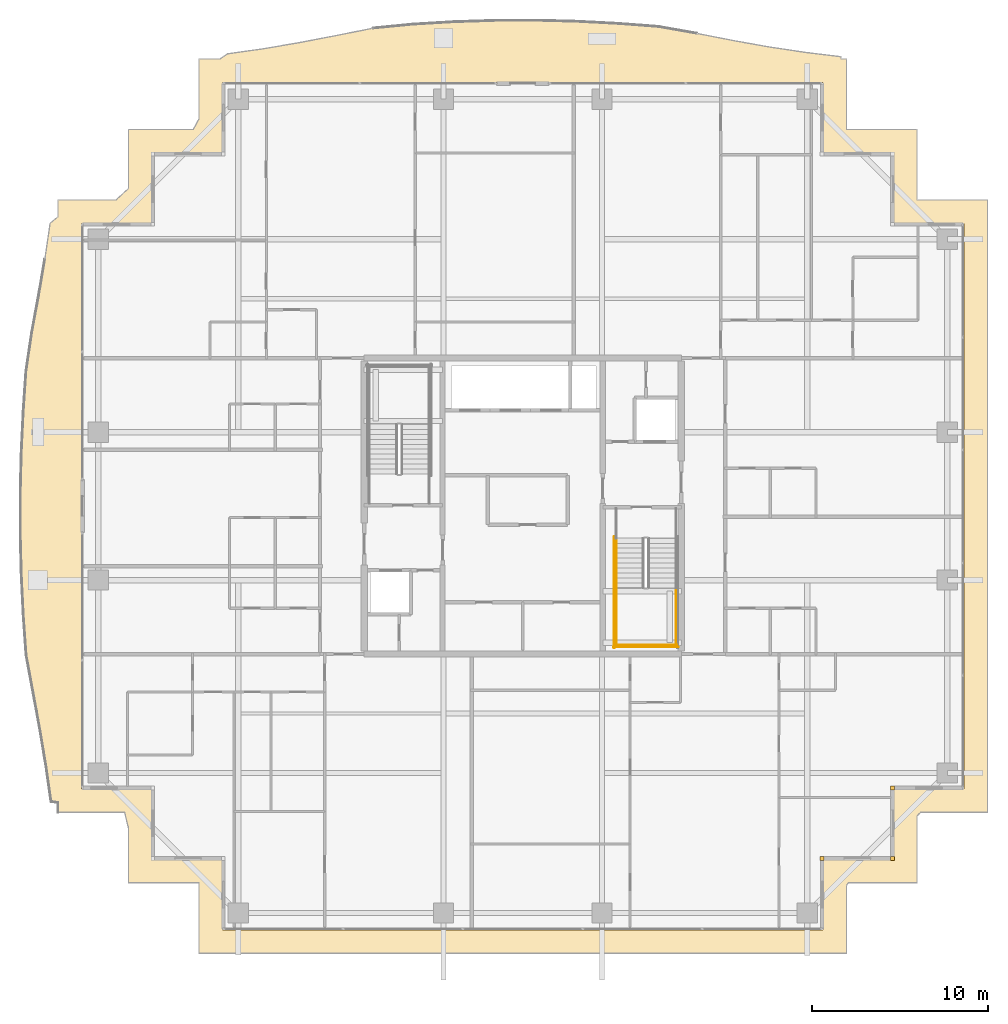
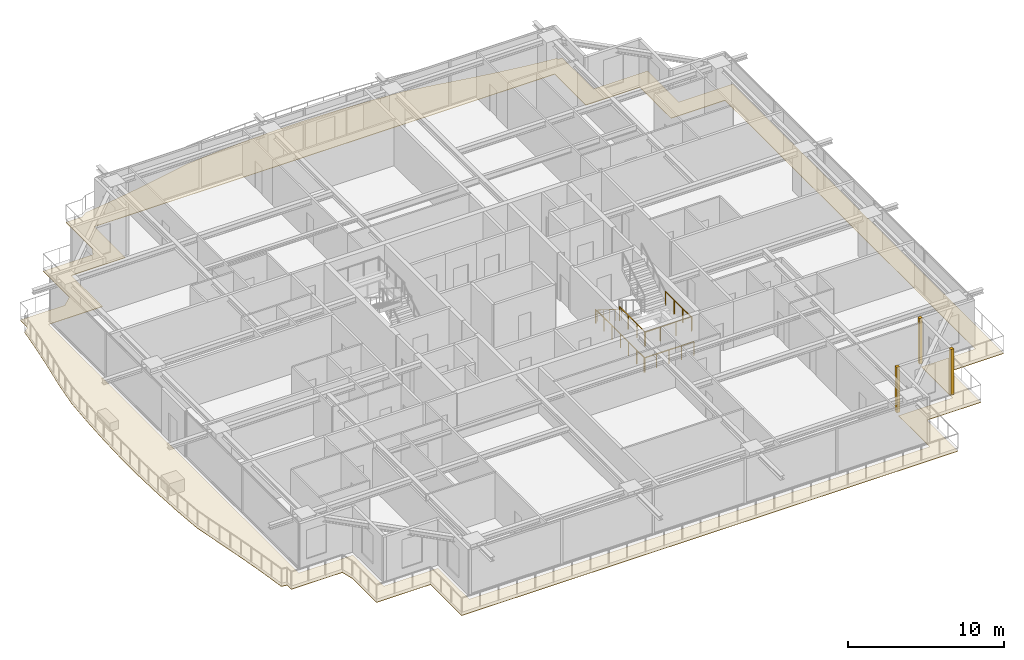
# One storey, part 36 of 38: 6 railings, 4 coverings.
"""IFC4 building model written with IfcOpenShell, lengths in metres."""

from ifc_helpers import new_model, si_unit, direction, frame, origin, origin_2d, place, context, subcontext, project, spatial, polyline, rectangle, circle, outline, extrude, source, transform, mapped, material, layer, layer_set, type_object, element, save


model = new_model("IFC4")

# Units and contexts
model_context = context("Model", 3, precision=1e-05, world=origin(), true_north=direction((0.0, 1.0)))
body_context = subcontext(model_context, "Body", "Model", "MODEL_VIEW")
ifc_project = project(units=[si_unit("LENGTHUNIT", "METRE"), si_unit("AREAUNIT", "SQUARE_METRE"), si_unit("VOLUMEUNIT", "CUBIC_METRE"), si_unit("PLANEANGLEUNIT", "RADIAN"), si_unit("MASSUNIT", "GRAM", prefix="KILO")], contexts=[model_context])

# Site, building, storey
site_placement = place(None, origin())
site = spatial("IfcSite", under=ifc_project, at=site_placement, CompositionType="ELEMENT")
building_placement = place(site_placement, origin())
building = spatial("IfcBuilding", under=site, at=building_placement, Name="Serunith Strait Residences", CompositionType="ELEMENT")
storey_placement = place(building_placement, frame((0.0, 0.0, 237.39990234375)))
storey = spatial("IfcBuildingStorey", under=building, at=storey_placement, Name="L59", CompositionType="ELEMENT", Elevation=237.39990234375)

# Covering
ifc_material_1 = material(Name="Golden Teak Exterior Timber Boarding", Category="wood")
ifc_layer_1 = layer(ifc_material_1, 0.034912109375, Name="Golden Teak Exterior Timber Boarding")
ifc_layer_set_1 = layer_set([ifc_layer_1], Name="Golden Teak Exterior Timber Boarding")
covering_type_1 = type_object("IfcCoveringType", Name="COV-TEAK-SOFFIT", PredefinedType="CEILING", material=ifc_layer_set_1)
covering_placement = place(storey_placement, frame((0.0, 0.0, -0.324951171875)))
element("IfcCovering", 1, at=covering_placement, inside=storey, type_object=covering_type_1, Name="L59 Golden-Teak Balcony Soffit Lining", PredefinedType="CEILING", context=body_context, shape_type="SweptSolid", body=[
    extrude(outline(polyline([(6.02001953125, 7.820068359375), (6.02001953125, 8.35888671875), (5.630615234375, 8.424560546875), (5.341064453125, 10.452880859375), (4.998779296875, 12.504150390625), (4.615478515625, 14.595458984375), (4.21728515625, 16.7451171875), (4.056640625, 19.01171875), (3.9443359375, 21.31103515625), (3.885498046875, 23.631591796875), (3.885498046875, 25.96044921875), (3.943359375, 28.28271484375), (4.0537109375, 30.585693359375), (4.206298828125, 32.859375), (4.531494140625, 35.046875), (4.919921875, 37.15380859375), (5.271728515625, 39.21630859375), (5.572509765625, 41.251708984375), (6.02001953125, 41.63134765625), (6.02001953125, 42.580078125), (9.32275390625, 42.580078125), (10.02001953125, 43.2333984375), (10.02001953125, 46.580078125), (13.697021484375, 46.580078125), (14.02001953125, 47.16650390625), (14.02001953125, 50.580078125), (15.218505859375, 50.580078125), (15.639892578125, 50.875), (17.66162109375, 51.160888671875), (19.70263671875, 51.50830078125), (21.781982421875, 51.90771484375), (23.920654296875, 52.333740234375), (26.17919921875, 52.55322265625), (28.48681640625, 52.6884765625), (30.82080078125, 52.76416015625), (33.166015625, 52.7724609375), (35.504638671875, 52.71240234375), (37.821044921875, 52.590576171875), (40.102783203125, 52.420166015625), (42.276611328125, 52.034912109375), (44.373291015625, 51.6240234375), (46.42529296875, 51.259765625), (48.4521484375, 50.955078125), (50.469970703125, 50.71044921875), (50.468994140625, 50.580078125), (50.780029296875, 50.580078125), (50.780029296875, 46.580078125), (54.780029296875, 46.580078125), (54.780029296875, 42.580078125), (58.780029296875, 42.580078125), (58.780029296875, 7.820068359375), (54.97509765625, 7.820068359375), (54.780029296875, 7.597900390625), (54.780029296875, 3.820068359375), (50.881103515625, 3.820068359375), (50.780029296875, 3.665283203125), (50.780029296875, -0.179931640625), (14.02001953125, -0.179931640625), (14.02001953125, 3.820068359375), (10.02001953125, 3.820068359375), (10.02001953125, 6.924072265625), (9.79931640625, 7.820068359375), (6.02001953125, 7.820068359375)]), holes=[polyline([(49.455078125, 1.14501953125), (49.455078125, 5.14501953125), (53.455078125, 5.14501953125), (53.455078125, 9.14501953125), (57.455078125, 9.14501953125), (57.455078125, 41.2548828125), (53.455078125, 41.2548828125), (53.455078125, 45.2548828125), (49.455078125, 45.2548828125), (49.455078125, 49.2548828125), (15.344970703125, 49.2548828125), (15.344970703125, 45.2548828125), (11.344970703125, 45.2548828125), (11.344970703125, 41.2548828125), (7.344970703125, 41.2548828125), (7.344970703125, 9.14501953125), (11.344970703125, 9.14501953125), (11.344970703125, 5.14501953125), (15.344970703125, 5.14501953125), (15.344970703125, 1.14501953125), (49.455078125, 1.14501953125)])]), origin(), (0.0, 0.0, 1.0), 0.03515625),
])

# Railings
ifc_material_2 = material(Name="Brushed stainless steel 316L", Category="steel")
railing_type_1 = type_object("IfcRailingType", Name="RLG-STAIR-GUARD", PredefinedType="BALUSTRADE", material=ifc_material_2)
for number, where, name in (
    (2, (37.699951171875, 20.570068359375, 1.925048828125), "L59 ST-2 stair guard 3"),
    (3, (41.10009765625, 20.570068359375, 1.925048828125), "L59 ST-2 stair guard 4"),
):
    element("IfcRailing", number, at=place(storey_placement, frame(where)), inside=storey, type_object=railing_type_1, Name=name, PredefinedType="BALUSTRADE", context=body_context, shape_type="SweptSolid", body=[
        extrude(circle(Radius=0.02392578125, at=origin_2d()), frame((0.0, -0.001953125, 1.076171875), z_axis=(0.0, -1.0, 0.0), x_axis=(1.0, 0.0, 0.0)), (0.0, 0.0, 1.0), 3.316162109375),
        extrude(circle(Radius=0.02099609375, at=origin_2d()), origin(), (0.0, 0.0, 1.0), 1.050048828125),
        extrude(circle(Radius=0.02099609375, at=origin_2d()), frame((0.0, -1.106689453125, 0.0)), (0.0, 0.0, 1.0), 1.050048828125),
        extrude(circle(Radius=0.02099609375, at=origin_2d()), frame((0.0, -2.21337890625, 0.0)), (0.0, 0.0, 1.0), 1.050048828125),
        extrude(circle(Radius=0.02099609375, at=origin_2d()), frame((0.0, -3.320068359375, 0.0)), (0.0, 0.0, 1.0), 1.050048828125),
    ])
railing_1_placement = place(storey_placement, frame((37.64990234375, 17.300048828125, 1.925048828125)))
element("IfcRailing", 4, at=railing_1_placement, inside=storey, type_object=railing_type_1, Name="L59 ST-2 stair guard 5", PredefinedType="BALUSTRADE", context=body_context, shape_type="SweptSolid", body=[
    extrude(circle(Radius=0.02392578125, at=origin_2d()), frame((0.001953125, 0.0, 1.076171875), z_axis=(1.0, 0.0, 0.0), x_axis=(0.0, 1.0, 0.0)), (0.0, 0.0, 1.0), 3.49609375),
    extrude(circle(Radius=0.02099609375, at=origin_2d()), origin(), (0.0, 0.0, 1.0), 1.050048828125),
    extrude(circle(Radius=0.02099609375, at=origin_2d()), frame((1.166748046875, 0.0, 0.0)), (0.0, 0.0, 1.0), 1.050048828125),
    extrude(circle(Radius=0.02099609375, at=origin_2d()), frame((2.333251953125, 0.0, 0.0)), (0.0, 0.0, 1.0), 1.050048828125),
    extrude(circle(Radius=0.02099609375, at=origin_2d()), frame((3.5, 0.0, 0.0)), (0.0, 0.0, 1.0), 1.050048828125),
])
railing_2_placement = place(storey_placement, frame((37.60009765625, 23.469970703125, 0.0)))
element("IfcRailing", 5, at=railing_2_placement, inside=storey, type_object=railing_type_1, Name="L59 ST-2 stair guard 10", PredefinedType="BALUSTRADE", context=body_context, shape_type="SweptSolid", body=[
    extrude(circle(Radius=0.02392578125, at=origin_2d()), frame((0.0, -0.001953125, 1.076171875), z_axis=(0.0, -1.0, 0.0), x_axis=(1.0, 0.0, 0.0)), (0.0, 0.0, 1.0), 6.316162109375),
    extrude(circle(Radius=0.02099609375, at=origin_2d()), origin(), (0.0, 0.0, 1.0), 1.050048828125),
    extrude(circle(Radius=0.02099609375, at=origin_2d()), frame((0.0, -1.05322265625, 0.0)), (0.0, 0.0, 1.0), 1.050048828125),
    extrude(circle(Radius=0.02099609375, at=origin_2d()), frame((0.0, -2.106689453125, 0.0)), (0.0, 0.0, 1.0), 1.050048828125),
    extrude(circle(Radius=0.02099609375, at=origin_2d()), frame((0.0, -3.16015625, 0.0)), (0.0, 0.0, 1.0), 1.050048828125),
    extrude(circle(Radius=0.02099609375, at=origin_2d()), frame((0.0, -4.21337890625, 0.0)), (0.0, 0.0, 1.0), 1.050048828125),
    extrude(circle(Radius=0.02099609375, at=origin_2d()), frame((0.0, -5.2666015625, 0.0)), (0.0, 0.0, 1.0), 1.050048828125),
    extrude(circle(Radius=0.02099609375, at=origin_2d()), frame((0.0, -6.320068359375, 0.0)), (0.0, 0.0, 1.0), 1.050048828125),
])
railing_3_placement = place(storey_placement, frame((37.550048828125, 17.199951171875, 0.0)))
element("IfcRailing", 6, at=railing_3_placement, inside=storey, type_object=railing_type_1, Name="L59 ST-2 stair guard 12", PredefinedType="BALUSTRADE", context=body_context, shape_type="SweptSolid", body=[
    extrude(circle(Radius=0.02392578125, at=origin_2d()), frame((0.001953125, 0.0, 1.076171875), z_axis=(1.0, 0.0, 0.0), x_axis=(0.0, 1.0, 0.0)), (0.0, 0.0, 1.0), 3.696044921875),
    extrude(circle(Radius=0.02099609375, at=origin_2d()), origin(), (0.0, 0.0, 1.0), 1.050048828125),
    extrude(circle(Radius=0.02099609375, at=origin_2d()), frame((0.925048828125, 0.0, 0.0)), (0.0, 0.0, 1.0), 1.050048828125),
    extrude(circle(Radius=0.02099609375, at=origin_2d()), frame((1.85009765625, 0.0, 0.0)), (0.0, 0.0, 1.0), 1.050048828125),
    extrude(circle(Radius=0.02099609375, at=origin_2d()), frame((2.77490234375, 0.0, 0.0)), (0.0, 0.0, 1.0), 1.050048828125),
    extrude(circle(Radius=0.02099609375, at=origin_2d()), frame((3.699951171875, 0.0, 0.0)), (0.0, 0.0, 1.0), 1.050048828125),
])
railing_type_2 = type_object("IfcRailingType", Name="RLG-STAIR-HR", PredefinedType="HANDRAIL", material=ifc_material_2)
railing_4_placement = place(storey_placement, frame((37.699951171875, 23.3701171875, 0.175048828125)))
element("IfcRailing", 7, at=railing_4_placement, inside=storey, type_object=railing_type_2, Name="L59 ST-2 stair handrail 1", PredefinedType="HANDRAIL", context=body_context, shape_type="SweptSolid", body=[
    extrude(circle(Radius=0.02392578125, at=origin_2d()), frame((0.0, -0.001708984375, 0.876953125), z_axis=(0.0, -0.847393994688, 0.530964610654), x_axis=(1.0, 0.0, 0.0)), (0.0, 0.0, 1.0), 3.630859375),
    extrude(circle(Radius=0.02099609375, at=origin_2d()), origin(), (0.0, 0.0, 1.0), 0.849853515625),
    extrude(circle(Radius=0.02099609375, at=origin_2d()), frame((0.0, -0.77001953125, 0.482421875)), (0.0, 0.0, 1.0), 0.849853515625),
    extrude(circle(Radius=0.02099609375, at=origin_2d()), frame((0.0, -1.5400390625, 0.96484375)), (0.0, 0.0, 1.0), 0.849853515625),
    extrude(circle(Radius=0.02099609375, at=origin_2d()), frame((0.0, -2.31005859375, 1.447509765625)), (0.0, 0.0, 1.0), 0.849853515625),
    extrude(circle(Radius=0.02099609375, at=origin_2d()), frame((0.0, -3.080078125, 1.929931640625)), (0.0, 0.0, 1.0), 0.849853515625),
])

# Coverings
ifc_material_3 = material(Name="Pale-Champagne Anodised Aluminium", Category="aluminium")
ifc_layer_2 = layer(ifc_material_3, 0.219970703125, Name="Pale-Champagne Anodised Aluminium")
ifc_layer_set_2 = layer_set([ifc_layer_2], Name="Pale-Champagne Anodised Aluminium")
covering_type_2 = type_object("IfcCoveringType", Name="COV-CORN-TRIM", PredefinedType="CLADDING", material=ifc_layer_set_2)
shared_shape = source(origin(), body_context, "Body", "SweptSolid", [
    extrude(rectangle(XDim=0.221923828125, YDim=0.221923828125, at=origin_2d()), origin(), (0.0, 0.0, 1.0), 3.574951171875),
])
for number, where, z_axis, x_axis, name in (
    (8, (49.39990234375, 5.199951171875, 0.0), (0.0, 0.0, 1.0), (1.0, 0.0, 0.0), "L59 Girih Serrated Corner Trim Post 02"),
    (9, (53.39990234375, 5.199951171875, 0.0), (0.0, 0.0, 1.0), (1.0, 0.0, 0.0), "L59 Girih Serrated Corner Trim Post 03"),
    (10, (53.39990234375, 9.199951171875, 0.0), (0.0, 0.0, 1.0), (1.0, 0.0, 0.0), "L59 Girih Serrated Corner Trim Post 04"),
):
    element("IfcCovering", number, at=place(storey_placement, frame(where, z_axis=z_axis, x_axis=x_axis)), inside=storey, type_object=covering_type_2, Name=name, PredefinedType="CLADDING", context=body_context, shape_type="MappedRepresentation", body=[
        mapped(shared_shape, transform((0.0, 0.0, 0.0), scale=1.0)),
    ])

save(model, "model.ifc")
